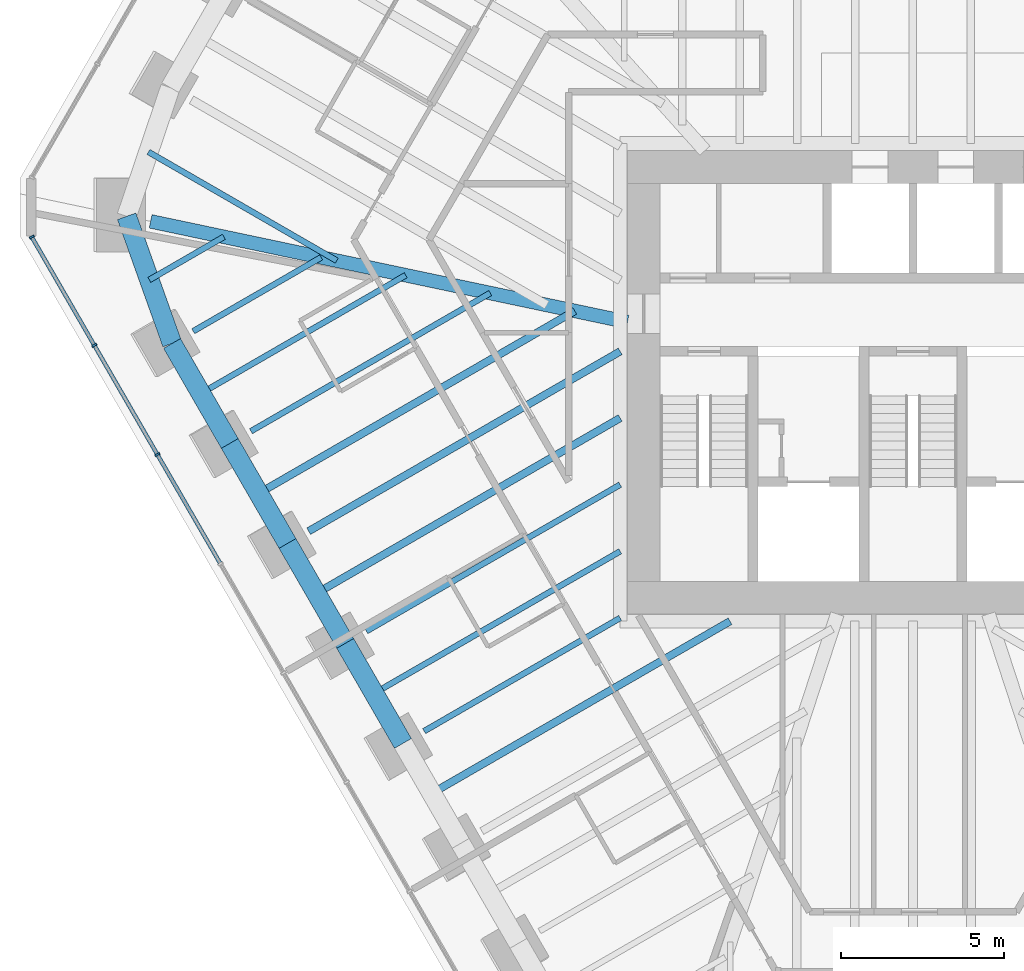
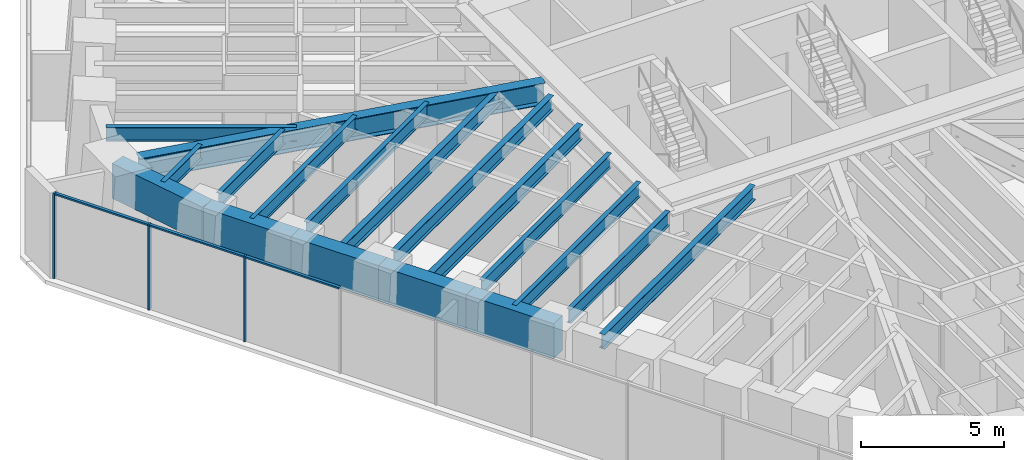
# One storey, part 3 of 16: 18 beams, 6 members, 1 element without a shape of its own.
"""IFC4 building model written with IfcOpenShell, lengths in metres."""

from ifc_helpers import new_model, si_unit, direction, frame, origin, origin_2d, place, context, subcontext, project, spatial, rectangle, i_section, extrude, material, material_profile, profile_set, type_object, element, aggregate, save


model = new_model("IFC4")

# Units and contexts
model_context = context("Model", 3, precision=1e-05, world=origin(), true_north=direction((0.0, 1.0)))
body_context = subcontext(model_context, "Body", "Model", "MODEL_VIEW")
ifc_project = project(units=[si_unit("LENGTHUNIT", "METRE"), si_unit("AREAUNIT", "SQUARE_METRE"), si_unit("VOLUMEUNIT", "CUBIC_METRE"), si_unit("PLANEANGLEUNIT", "RADIAN"), si_unit("MASSUNIT", "GRAM", prefix="KILO")], contexts=[model_context])

# Site, building, storey
site_placement = place(None, origin())
site = spatial("IfcSite", under=ifc_project, at=site_placement, CompositionType="ELEMENT")
building_placement = place(site_placement, origin())
building = spatial("IfcBuilding", under=site, at=building_placement, Name="Sandreach Pilgrim Tower", CompositionType="ELEMENT")
storey_placement = place(building_placement, frame((0.0, 0.0, 244.0)))
storey = spatial("IfcBuildingStorey", under=building, at=storey_placement, Name="L61", CompositionType="ELEMENT", Elevation=244.0)

# Curtain wall, members
ifc_material_1 = material(Name="Aluminium framed curtain wall", Category="aluminium")
curtain_wall_type = type_object("IfcCurtainWallType", Name="Upper hotel tower curtain wall", PredefinedType="NOTDEFINED", material=ifc_material_1)
curtain_wall_placement = place(storey_placement, origin())
curtain_wall = element("IfcCurtainWall", 1, at=curtain_wall_placement, inside=storey, type_object=curtain_wall_type, Name="CW-3 L61 SW", PredefinedType="NOTDEFINED")
ifc_material_2 = material(Name="Aluminium extrusion", Category="aluminium")
ifc_material_profile_1 = material_profile(ifc_material_2, rectangle(XDim=0.06494140625, YDim=0.159912109375, at=origin_2d()), Name="CW-3M 65X160")
ifc_profile_set_1 = profile_set([ifc_material_profile_1], Name="Aluminium extrusion")
member_type_1 = type_object("IfcMemberType", Name="CW-3 mullion", PredefinedType="MULLION", material=ifc_profile_set_1)
member_1_placement = place(storey_placement, frame((-23.15576171875, -2.21337890625, 0.0), z_axis=(0.0, 0.0, 1.0), x_axis=(-0.5, 0.866025403784, 0.0)))
member_1 = element("IfcMember", 2, at=member_1_placement, type_object=member_type_1, Name="CW-3 mullion 8", PredefinedType="MULLION", context=body_context, shape_type="SweptSolid", body=[
    extrude(rectangle(XDim=0.06494140625, YDim=0.159912109375, at=origin_2d()), origin(), (0.0, 0.0, 1.0), 3.639892578125),
])
member_2_placement = place(storey_placement, frame((-25.087890625, 1.13330078125, 0.0), z_axis=(0.0, 0.0, 1.0), x_axis=(-0.5, 0.866025403784, 0.0)))
member_2 = element("IfcMember", 3, at=member_2_placement, type_object=member_type_1, Name="CW-3 mullion 9", PredefinedType="MULLION", context=body_context, shape_type="SweptSolid", body=[
    extrude(rectangle(XDim=0.06494140625, YDim=0.159912109375, at=origin_2d()), origin(), (0.0, 0.0, 1.0), 3.639892578125),
])
member_3_placement = place(storey_placement, frame((-27.00390625, 4.451904296875, 0.0), z_axis=(0.0, 0.0, 1.0), x_axis=(-0.5, 0.866025403784, 0.0)))
member_3 = element("IfcMember", 4, at=member_3_placement, type_object=member_type_1, Name="CW-3 mullion 10", PredefinedType="MULLION", context=body_context, shape_type="SweptSolid", body=[
    extrude(rectangle(XDim=0.06494140625, YDim=0.159912109375, at=origin_2d()), origin(), (0.0, 0.0, 1.0), 3.639892578125),
])
ifc_material_3 = material(Name="Aluminium extrusion", Category="aluminium")
ifc_material_profile_2 = material_profile(ifc_material_3, rectangle(XDim=0.1201171875, YDim=0.070068359375, at=origin_2d()), Name="CW-3T 120X70")
ifc_profile_set_2 = profile_set([ifc_material_profile_2], Name="Aluminium extrusion")
member_type_2 = type_object("IfcMemberType", Name="CW-3 transom", PredefinedType="USERDEFINED", material=ifc_profile_set_2)
member_4_placement = place(storey_placement, frame((-21.23974609375, -5.531982421875, 3.60498046875), z_axis=(-0.499974606132, 0.866040064445, 0.0), x_axis=(-0.866040064445, -0.499974606132, 0.0)))
member_4 = element("IfcMember", 5, at=member_4_placement, type_object=member_type_2, Name="CW-3 head transom 7", ObjectType="TRANSOM", PredefinedType="USERDEFINED", context=body_context, shape_type="SweptSolid", body=[
    extrude(rectangle(XDim=0.1201171875, YDim=0.070068359375, at=origin_2d()), origin(), (0.0, 0.0, 1.0), 3.799560546875),
])
member_5_placement = place(storey_placement, frame((-23.171875, -2.185302734375, 3.60498046875), z_axis=(-0.500022797313, 0.86601224135, 0.0), x_axis=(-0.86601224135, -0.500022797313, 0.0)))
member_5 = element("IfcMember", 6, at=member_5_placement, type_object=member_type_2, Name="CW-3 head transom 8", ObjectType="TRANSOM", PredefinedType="USERDEFINED", context=body_context, shape_type="SweptSolid", body=[
    extrude(rectangle(XDim=0.1201171875, YDim=0.070068359375, at=origin_2d()), origin(), (0.0, 0.0, 1.0), 3.799560546875),
])
member_6_placement = place(storey_placement, frame((-25.104248046875, 1.161376953125, 3.60498046875), z_axis=(-0.499944992379, 0.86605716012, 0.0), x_axis=(-0.86605716012, -0.499944992379, 0.0)))
member_6 = element("IfcMember", 7, at=member_6_placement, type_object=member_type_2, Name="CW-3 head transom 9", ObjectType="TRANSOM", PredefinedType="USERDEFINED", context=body_context, shape_type="SweptSolid", body=[
    extrude(rectangle(XDim=0.1201171875, YDim=0.070068359375, at=origin_2d()), origin(), (0.0, 0.0, 1.0), 3.76708984375),
])
aggregate(curtain_wall, [member_1, member_2, member_3, member_4, member_5, member_6])

# Beams
ifc_material_4 = material(Name="Steel ASTM A992 Grade 50", Category="steel")
ifc_material_profile_3 = material_profile(ifc_material_4, i_section(OverallWidth=0.419189453125, OverallDepth=0.927001953125, WebThickness=0.019287109375, FlangeThickness=0.031982421875, at=origin_2d()), Name="W36X231")
ifc_profile_set_3 = profile_set([ifc_material_profile_3], Name="Steel ASTM A992 Grade 50")
beam_type_1 = type_object("IfcBeamType", Name="Corner girder W36X231", PredefinedType="BEAM", material=ifc_profile_set_3)
beam_1_placement = place(storey_placement, frame((-23.36328125, 4.932861328125, 3.176513671875), z_axis=(0.978428557477, -0.206585473627, 0.0), x_axis=(0.206585473627, 0.978428557477, 0.0)))
element("IfcBeam", 8, at=beam_1_placement, inside=storey, type_object=beam_type_1, Name="BM L61 CG35", PredefinedType="BEAM", context=body_context, shape_type="SweptSolid", body=[
    extrude(i_section(OverallWidth=0.419189453125, OverallDepth=0.927001953125, WebThickness=0.019287109375, FlangeThickness=0.031982421875, at=origin_2d()), origin(), (0.0, 0.0, 1.0), 14.935546875),
])
ifc_material_5 = material(Name="Steel ASTM A992 Grade 50", Category="steel")
ifc_material_profile_4 = material_profile(ifc_material_5, i_section(OverallWidth=0.1787109375, OverallDepth=0.60205078125, WebThickness=0.010986328125, FlangeThickness=0.014892578125, at=origin_2d()), Name="W24X62")
ifc_profile_set_4 = profile_set([ifc_material_profile_4], Name="Steel ASTM A992 Grade 50")
beam_type_2 = type_object("IfcBeamType", Name="Floor beam W24X62", PredefinedType="BEAM", material=ifc_profile_set_4)
beam_2_placement = place(storey_placement, frame((-14.98046875, -10.69189453125, 3.339111328125), z_axis=(0.866019158203, 0.500010817509, 0.0), x_axis=(-0.500010817509, 0.866019158203, 0.0)))
element("IfcBeam", 9, at=beam_2_placement, inside=storey, type_object=beam_type_2, Name="BM L61 F30", PredefinedType="BEAM", context=body_context, shape_type="SweptSolid", body=[
    extrude(i_section(OverallWidth=0.1787109375, OverallDepth=0.60205078125, WebThickness=0.010986328125, FlangeThickness=0.014892578125, at=origin_2d()), origin(), (0.0, 0.0, 1.0), 6.937744140625),
])
beam_3_placement = place(storey_placement, frame((-16.74951171875, -7.62744140625, 3.339111328125), z_axis=(0.866026229868, 0.499998569178, 0.0), x_axis=(-0.499998569178, 0.866026229868, 0.0)))
element("IfcBeam", 10, at=beam_3_placement, inside=storey, type_object=beam_type_2, Name="BM L61 F31", PredefinedType="BEAM", context=body_context, shape_type="SweptSolid", body=[
    extrude(i_section(OverallWidth=0.1787109375, OverallDepth=0.60205078125, WebThickness=0.010986328125, FlangeThickness=0.014892578125, at=origin_2d()), origin(), (0.0, 0.0, 1.0), 8.98046875),
])
beam_4_placement = place(storey_placement, frame((-20.287841796875, -1.4990234375, 3.339111328125), z_axis=(0.86601850482, 0.500011949167, 0.0), x_axis=(-0.500011949167, 0.86601850482, 0.0)))
element("IfcBeam", 11, at=beam_4_placement, inside=storey, type_object=beam_type_2, Name="BM L61 F33", PredefinedType="BEAM", context=body_context, shape_type="SweptSolid", body=[
    extrude(i_section(OverallWidth=0.1787109375, OverallDepth=0.60205078125, WebThickness=0.010986328125, FlangeThickness=0.014892578125, at=origin_2d()), origin(), (0.0, 0.0, 1.0), 8.468017578125),
])
beam_5_placement = place(storey_placement, frame((-22.05712890625, 1.5654296875, 3.339111328125), z_axis=(0.866044611749, 0.499966729353, 0.0), x_axis=(-0.499966729353, 0.866044611749, 0.0)))
element("IfcBeam", 12, at=beam_5_placement, inside=storey, type_object=beam_type_2, Name="BM L61 F34", PredefinedType="BEAM", context=body_context, shape_type="SweptSolid", body=[
    extrude(i_section(OverallWidth=0.1787109375, OverallDepth=0.60205078125, WebThickness=0.010986328125, FlangeThickness=0.014892578125, at=origin_2d()), origin(), (0.0, 0.0, 1.0), 4.527587890625),
])
beam_6_placement = place(storey_placement, frame((-16.514404296875, -9.53466796875, 3.339111328125), z_axis=(0.866014258786, 0.500019303207, 0.0), x_axis=(-0.500019303207, 0.866014258786, 0.0)))
element("IfcBeam", 13, at=beam_6_placement, inside=storey, type_object=beam_type_2, Name="BM L61 FM30", PredefinedType="BEAM", context=body_context, shape_type="SweptSolid", body=[
    extrude(i_section(OverallWidth=0.1787109375, OverallDepth=0.60205078125, WebThickness=0.010986328125, FlangeThickness=0.014892578125, at=origin_2d()), origin(), (0.0, 0.0, 1.0), 8.709228515625),
])
beam_7_placement = place(storey_placement, frame((-21.822021484375, -0.341796875, 3.339111328125), z_axis=(0.866035255258, 0.499982936359, 0.0), x_axis=(-0.499982936359, 0.866035255258, 0.0)))
element("IfcBeam", 14, at=beam_7_placement, inside=storey, type_object=beam_type_2, Name="BM L61 FM33", PredefinedType="BEAM", context=body_context, shape_type="SweptSolid", body=[
    extrude(i_section(OverallWidth=0.1787109375, OverallDepth=0.60205078125, WebThickness=0.010986328125, FlangeThickness=0.014892578125, at=origin_2d()), origin(), (0.0, 0.0, 1.0), 7.247802734375),
])
beam_8_placement = place(storey_placement, frame((-23.40185546875, 3.138916015625, 3.339111328125), z_axis=(0.866008413041, 0.500029427677, 0.0), x_axis=(-0.500029427677, 0.866008413041, 0.0)))
element("IfcBeam", 15, at=beam_8_placement, inside=storey, type_object=beam_type_2, Name="BM L61 FM34", PredefinedType="BEAM", context=body_context, shape_type="SweptSolid", body=[
    extrude(i_section(OverallWidth=0.1787109375, OverallDepth=0.60205078125, WebThickness=0.010986328125, FlangeThickness=0.014892578125, at=origin_2d()), origin(), (0.0, 0.0, 1.0), 2.638916015625),
])
beam_9_placement = place(storey_placement, frame((-23.428466796875, 7.059814453125, 3.339111328125), z_axis=(0.866022679971, -0.500004717754, 0.0), x_axis=(0.500004717754, 0.866022679971, 0.0)))
element("IfcBeam", 16, at=beam_9_placement, inside=storey, type_object=beam_type_2, Name="BM L61 FM35", PredefinedType="BEAM", context=body_context, shape_type="SweptSolid", body=[
    extrude(i_section(OverallWidth=0.1787109375, OverallDepth=0.60205078125, WebThickness=0.010986328125, FlangeThickness=0.014892578125, at=origin_2d()), origin(), (0.0, 0.0, 1.0), 6.66357421875),
])
ifc_material_6 = material(Name="Steel ASTM A992 Grade 50", Category="steel")
ifc_material_profile_5 = material_profile(ifc_material_6, i_section(OverallWidth=0.23046875, OverallDepth=0.6171875, WebThickness=0.01318359375, FlangeThickness=0.022216796875, at=origin_2d()), Name="W24X94")
ifc_profile_set_5 = profile_set([ifc_material_profile_5], Name="Steel ASTM A992 Grade 50")
beam_type_3 = type_object("IfcBeamType", Name="Floor beam W24X94", PredefinedType="BEAM", material=ifc_profile_set_5)
beam_10_placement = place(storey_placement, frame((-18.518798828125, -4.563232421875, 3.331298828125), z_axis=(0.866026627246, 0.499997880897, 0.0), x_axis=(-0.499997880897, 0.866026627246, 0.0)))
element("IfcBeam", 17, at=beam_10_placement, inside=storey, type_object=beam_type_3, Name="BM L61 F32", PredefinedType="BEAM", context=body_context, shape_type="SweptSolid", body=[
    extrude(i_section(OverallWidth=0.23046875, OverallDepth=0.6171875, WebThickness=0.01318359375, FlangeThickness=0.022216796875, at=origin_2d()), origin(), (0.0, 0.0, 1.0), 11.0234375),
])
beam_11_placement = place(storey_placement, frame((-14.745361328125, -12.598876953125, 3.331298828125), z_axis=(0.866028028466, 0.49999545389, 0.0), x_axis=(-0.49999545389, 0.866028028466, 0.0)))
element("IfcBeam", 18, at=beam_11_placement, inside=storey, type_object=beam_type_3, Name="BM L61 FM29", PredefinedType="BEAM", context=body_context, shape_type="SweptSolid", body=[
    extrude(i_section(OverallWidth=0.23046875, OverallDepth=0.6171875, WebThickness=0.01318359375, FlangeThickness=0.022216796875, at=origin_2d()), origin(), (0.0, 0.0, 1.0), 10.5537109375),
])
beam_12_placement = place(storey_placement, frame((-18.28369140625, -6.470458984375, 3.331298828125), z_axis=(0.866016940845, 0.500014657954, 0.0), x_axis=(-0.500014657954, 0.866016940845, 0.0)))
element("IfcBeam", 19, at=beam_12_placement, inside=storey, type_object=beam_type_3, Name="BM L61 FM31", PredefinedType="BEAM", context=body_context, shape_type="SweptSolid", body=[
    extrude(i_section(OverallWidth=0.23046875, OverallDepth=0.6171875, WebThickness=0.01318359375, FlangeThickness=0.022216796875, at=origin_2d()), origin(), (0.0, 0.0, 1.0), 10.752197265625),
])
beam_13_placement = place(storey_placement, frame((-20.052734375, -3.406005859375, 3.331298828125), z_axis=(0.866028239721, 0.499995087982, 0.0), x_axis=(-0.499995087982, 0.866028239721, 0.0)))
element("IfcBeam", 20, at=beam_13_placement, inside=storey, type_object=beam_type_3, Name="BM L61 FM32", PredefinedType="BEAM", context=body_context, shape_type="SweptSolid", body=[
    extrude(i_section(OverallWidth=0.23046875, OverallDepth=0.6171875, WebThickness=0.01318359375, FlangeThickness=0.022216796875, at=origin_2d()), origin(), (0.0, 0.0, 1.0), 11.18798828125),
])
ifc_material_7 = material(Name="Concrete 10000 psi", Category="concrete")
ifc_material_profile_6 = material_profile(ifc_material_7, rectangle(XDim=0.60009765625, YDim=1.5, at=origin_2d()), Name="RC600X1500")
ifc_profile_set_6 = profile_set([ifc_material_profile_6], Name="Concrete 10000 psi")
beam_type_4 = type_object("IfcBeamType", Name="Spandrel beam RC600X1500", PredefinedType="SPANDREL", material=ifc_profile_set_6)
beam_14_placement = place(storey_placement, frame((-15.6298828125, -11.06689453125, 2.889892578125), z_axis=(-0.500005144645, 0.866022433502, 0.0), x_axis=(-0.866022433502, -0.500005144645, 0.0)))
element("IfcBeam", 21, at=beam_14_placement, inside=storey, type_object=beam_type_4, Name="BM L61 SP30", PredefinedType="SPANDREL", context=body_context, shape_type="SweptSolid", body=[
    extrude(rectangle(XDim=0.60009765625, YDim=1.5, at=origin_2d()), origin(), (0.0, 0.0, 1.0), 3.53857421875),
])
beam_15_placement = place(storey_placement, frame((-17.399169921875, -8.00244140625, 2.889892578125), z_axis=(-0.499983272517, 0.866035061186, 0.0), x_axis=(-0.866035061186, -0.499983272517, 0.0)))
element("IfcBeam", 22, at=beam_15_placement, inside=storey, type_object=beam_type_4, Name="BM L61 SP31", PredefinedType="SPANDREL", context=body_context, shape_type="SweptSolid", body=[
    extrude(rectangle(XDim=0.60009765625, YDim=1.5, at=origin_2d()), origin(), (0.0, 0.0, 1.0), 3.5380859375),
])
for number, where, z_axis, x_axis, name in (
    (23, (-19.168212890625, -4.938232421875, 2.889892578125), (-0.500035021952, 0.866005182907, 0.0), (-0.866005182907, -0.500035021952, 0.0), "BM L61 SP32"),
    (24, (-20.9375, -1.8740234375, 2.889892578125), (-0.49995339624, 0.866052308806, 0.0), (-0.866052308806, -0.49995339624, 0.0), "BM L61 SP33"),
):
    element("IfcBeam", number, at=place(storey_placement, frame(where, z_axis=z_axis, x_axis=x_axis)), inside=storey, type_object=beam_type_4, Name=name, PredefinedType="SPANDREL", context=body_context, shape_type="SweptSolid", body=[
        extrude(rectangle(XDim=0.60009765625, YDim=1.5, at=origin_2d()), origin(), (0.0, 0.0, 1.0), 3.538330078125),
    ])
beam_16_placement = place(storey_placement, frame((-22.70654296875, 1.1904296875, 2.889892578125), z_axis=(-0.336071011592, 0.941836649938, 0.0), x_axis=(-0.941836649938, -0.336071011592, 0.0)))
element("IfcBeam", 25, at=beam_16_placement, inside=storey, type_object=beam_type_4, Name="BM L61 SP34", PredefinedType="SPANDREL", context=body_context, shape_type="SweptSolid", body=[
    extrude(rectangle(XDim=0.60009765625, YDim=1.5, at=origin_2d()), origin(), (0.0, 0.0, 1.0), 4.137939453125),
])

save(model, "model.ifc")
